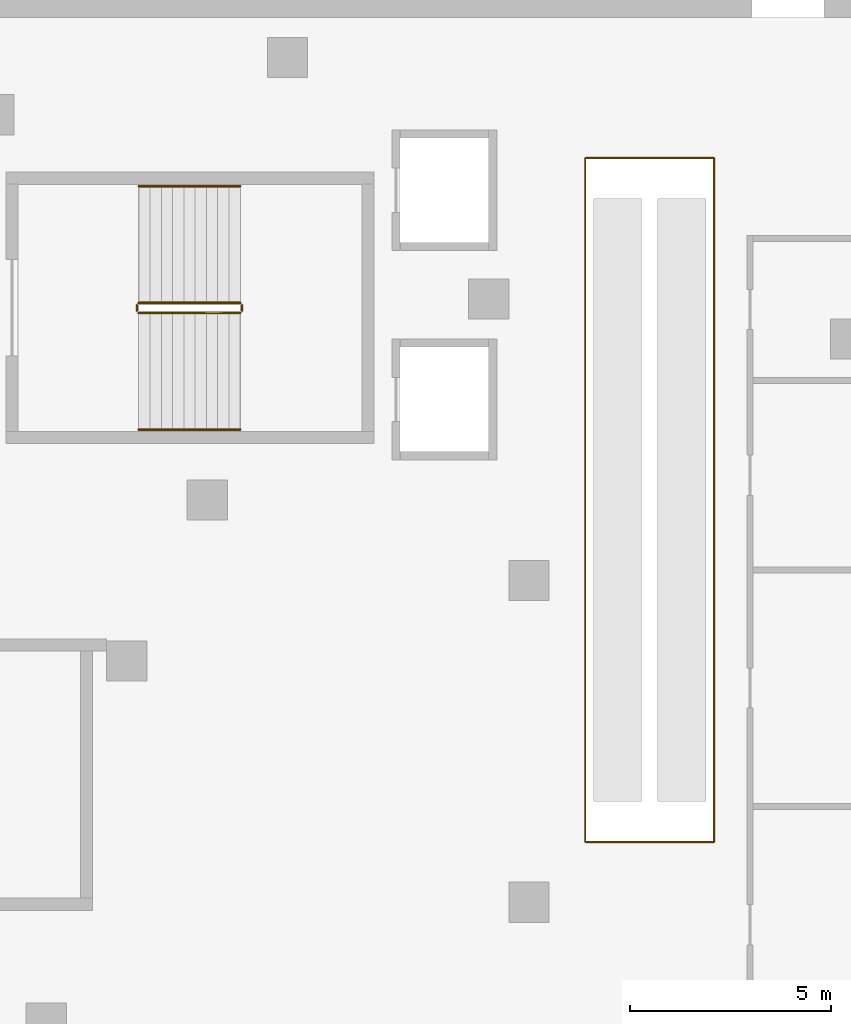
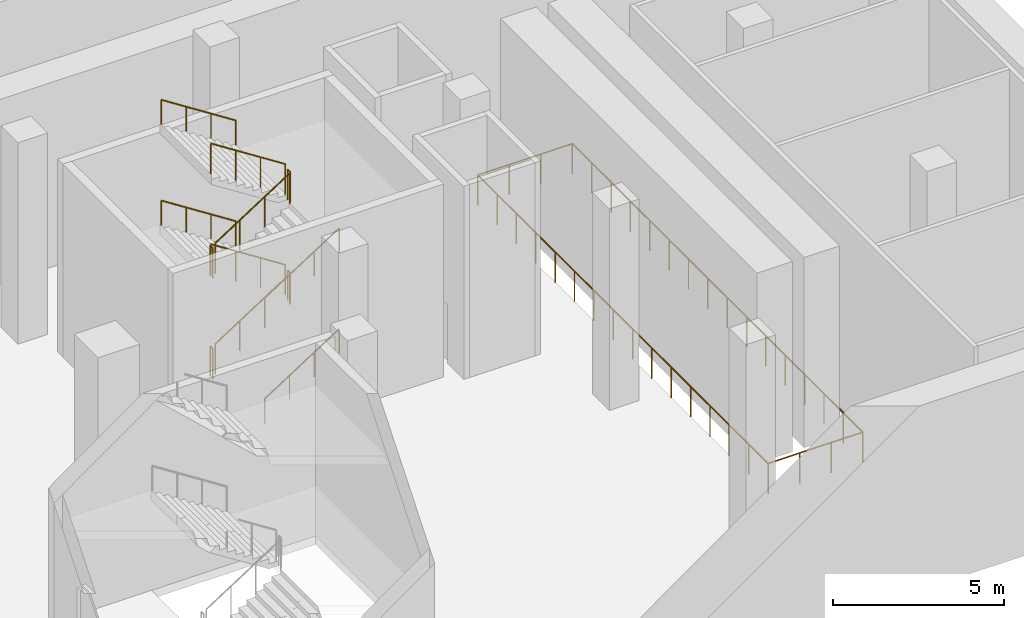
# One storey, part 14 of 15: 13 railings.
"""IFC4 building model written with IfcOpenShell, lengths in metres."""

from ifc_helpers import new_model, si_unit, direction, frame, origin, origin_2d, place, context, subcontext, project, spatial, circle, extrude, material, type_object, element, save


model = new_model("IFC4")

# Units and contexts
model_context = context("Model", 3, precision=1e-05, world=origin(), true_north=direction((0.0, 1.0)))
body_context = subcontext(model_context, "Body", "Model", "MODEL_VIEW")
ifc_project = project(units=[si_unit("LENGTHUNIT", "METRE"), si_unit("AREAUNIT", "SQUARE_METRE"), si_unit("VOLUMEUNIT", "CUBIC_METRE"), si_unit("PLANEANGLEUNIT", "RADIAN"), si_unit("MASSUNIT", "GRAM", prefix="KILO")], contexts=[model_context])

# Site, building, storey
site_placement = place(None, origin())
site = spatial("IfcSite", under=ifc_project, at=site_placement, CompositionType="ELEMENT")
building_placement = place(site_placement, origin())
building = spatial("IfcBuilding", under=site, at=building_placement, Name="Wharfspan Tower", CompositionType="ELEMENT")
storey_placement = place(building_placement, frame((0.0, 0.0, -7.199951)))
storey = spatial("IfcBuildingStorey", under=building, at=storey_placement, Name="B1", CompositionType="ELEMENT", Elevation=-7.199951)

# Railings
ifc_material = material(Name="Steel S355J2", Category="steel")
railing_type_1 = type_object("IfcRailingType", Name="Podium guard 1100", PredefinedType="GUARDRAIL", material=ifc_material)
railing_1_placement = place(storey_placement, frame((87.300049, -16.350098, 0.179932)))
element("IfcRailing", 1, at=railing_1_placement, inside=storey, type_object=railing_type_1, Name="B1 SB7 stair guard 1", PredefinedType="GUARDRAIL", context=body_context, shape_type="SweptSolid", body=[
    extrude(circle(Radius=0.023926, at=origin_2d()), frame((0.0, 0.0, 1.076172), z_axis=(0.841163, 0.0, 0.540782), x_axis=(0.0, 1.0, 0.0)), (0.0, 0.0, 1.0), 2.99585),
    extrude(circle(Radius=0.020996, at=origin_2d()), origin(), (0.0, 0.0, 1.0), 1.052002),
    extrude(circle(Radius=0.020996, at=origin_2d()), frame((0.840088, 0.0, 0.540039)), (0.0, 0.0, 1.0), 1.052002),
    extrude(circle(Radius=0.020996, at=origin_2d()), frame((1.679932, 0.0, 1.080078)), (0.0, 0.0, 1.0), 1.052002),
    extrude(circle(Radius=0.020996, at=origin_2d()), frame((2.52002, 0.0, 1.620117)), (0.0, 0.0, 1.0), 1.052002),
])
railing_2_placement = place(storey_placement, frame((89.870117, -16.300049, 1.800049)))
element("IfcRailing", 2, at=railing_2_placement, inside=storey, type_object=railing_type_1, Name="B1 SB7 stair guard 2", PredefinedType="GUARDRAIL", context=body_context, shape_type="SweptSolid", body=[
    extrude(circle(Radius=0.023926, at=origin_2d()), frame((0.0, 0.0, 1.076172), z_axis=(0.0, 1.0, 0.0), x_axis=(-1.0, 0.0, 0.0)), (0.0, 0.0, 1.0), 0.150146),
    extrude(circle(Radius=0.020996, at=origin_2d()), origin(), (0.0, 0.0, 1.0), 1.052002),
    extrude(circle(Radius=0.020996, at=origin_2d()), frame((0.0, 0.150146, 0.0)), (0.0, 0.0, 1.0), 1.052002),
])
railing_3_placement = place(storey_placement, frame((89.820068, -16.100098, 1.97998)))
element("IfcRailing", 3, at=railing_3_placement, inside=storey, type_object=railing_type_1, Name="B1 SB7 stair guard 3", PredefinedType="GUARDRAIL", context=body_context, shape_type="SweptSolid", body=[
    extrude(circle(Radius=0.023926, at=origin_2d()), frame((0.0, 0.0, 1.076172), z_axis=(-0.8412, 0.0, 0.540725), x_axis=(0.0, -1.0, 0.0)), (0.0, 0.0, 1.0), 2.99585),
    extrude(circle(Radius=0.020996, at=origin_2d()), origin(), (0.0, 0.0, 1.0), 1.052002),
    extrude(circle(Radius=0.020996, at=origin_2d()), frame((-0.840088, 0.0, 0.540039)), (0.0, 0.0, 1.0), 1.052002),
    extrude(circle(Radius=0.020996, at=origin_2d()), frame((-1.679932, 0.0, 1.079834)), (0.0, 0.0, 1.0), 1.052002),
    extrude(circle(Radius=0.020996, at=origin_2d()), frame((-2.52002, 0.0, 1.619873)), (0.0, 0.0, 1.0), 1.052002),
])
railing_4_placement = place(storey_placement, frame((87.25, -16.300049, 3.599854)))
element("IfcRailing", 4, at=railing_4_placement, inside=storey, type_object=railing_type_1, Name="B1 SB7 stair guard 4", PredefinedType="GUARDRAIL", context=body_context, shape_type="SweptSolid", body=[
    extrude(circle(Radius=0.023926, at=origin_2d()), frame((0.0, 0.0, 1.076172), z_axis=(0.0, 1.0, 0.0), x_axis=(-1.0, 0.0, 0.0)), (0.0, 0.0, 1.0), 0.150146),
    extrude(circle(Radius=0.020996, at=origin_2d()), origin(), (0.0, 0.0, 1.0), 1.052002),
    extrude(circle(Radius=0.020996, at=origin_2d()), frame((0.0, 0.150146, 0.0)), (0.0, 0.0, 1.0), 1.052002),
])
railing_5_placement = place(storey_placement, frame((87.300049, -16.350098, 3.780029)))
element("IfcRailing", 5, at=railing_5_placement, inside=storey, type_object=railing_type_1, Name="B1 SB7 stair guard 5", PredefinedType="GUARDRAIL", context=body_context, shape_type="SweptSolid", body=[
    extrude(circle(Radius=0.023926, at=origin_2d()), frame((0.0, 0.0, 1.076172), z_axis=(0.8412, 0.0, 0.540725), x_axis=(0.0, 1.0, 0.0)), (0.0, 0.0, 1.0), 2.99585),
    extrude(circle(Radius=0.020996, at=origin_2d()), origin(), (0.0, 0.0, 1.0), 1.052002),
    extrude(circle(Radius=0.020996, at=origin_2d()), frame((0.840088, 0.0, 0.540039)), (0.0, 0.0, 1.0), 1.052002),
    extrude(circle(Radius=0.020996, at=origin_2d()), frame((1.679932, 0.0, 1.079834)), (0.0, 0.0, 1.0), 1.052002),
    extrude(circle(Radius=0.020996, at=origin_2d()), frame((2.52002, 0.0, 1.619873)), (0.0, 0.0, 1.0), 1.052002),
])
railing_6_placement = place(storey_placement, frame((89.870117, -16.300049, 5.399902)))
element("IfcRailing", 6, at=railing_6_placement, inside=storey, type_object=railing_type_1, Name="B1 SB7 stair guard 6", PredefinedType="GUARDRAIL", context=body_context, shape_type="SweptSolid", body=[
    extrude(circle(Radius=0.023926, at=origin_2d()), frame((0.0, 0.0, 1.076172), z_axis=(0.0, 1.0, 0.0), x_axis=(-1.0, 0.0, 0.0)), (0.0, 0.0, 1.0), 0.150146),
    extrude(circle(Radius=0.020996, at=origin_2d()), origin(), (0.0, 0.0, 1.0), 1.052002),
    extrude(circle(Radius=0.020996, at=origin_2d()), frame((0.0, 0.150146, 0.0)), (0.0, 0.0, 1.0), 1.052002),
])
railing_7_placement = place(storey_placement, frame((89.820068, -16.100098, 5.579834)))
element("IfcRailing", 7, at=railing_7_placement, inside=storey, type_object=railing_type_1, Name="B1 SB7 stair guard 7", PredefinedType="GUARDRAIL", context=body_context, shape_type="SweptSolid", body=[
    extrude(circle(Radius=0.023926, at=origin_2d()), frame((0.0, 0.0, 1.076172), z_axis=(-0.841163, 0.0, 0.540782), x_axis=(0.0, -1.0, 0.0)), (0.0, 0.0, 1.0), 2.99585),
    extrude(circle(Radius=0.020996, at=origin_2d()), origin(), (0.0, 0.0, 1.0), 1.052002),
    extrude(circle(Radius=0.020996, at=origin_2d()), frame((-0.840088, 0.0, 0.540039)), (0.0, 0.0, 1.0), 1.052002),
    extrude(circle(Radius=0.020996, at=origin_2d()), frame((-1.679932, 0.0, 1.080078)), (0.0, 0.0, 1.0), 1.052002),
    extrude(circle(Radius=0.020996, at=origin_2d()), frame((-2.52002, 0.0, 1.620117)), (0.0, 0.0, 1.0), 1.052002),
])
railing_8_placement = place(storey_placement, frame((87.25, -16.300049, 0.0)))
element("IfcRailing", 8, at=railing_8_placement, inside=storey, type_object=railing_type_1, Name="B1 SB7 stair guard 8", PredefinedType="GUARDRAIL", context=body_context, shape_type="SweptSolid", body=[
    extrude(circle(Radius=0.023926, at=origin_2d()), frame((0.0, 0.0, 1.076172), z_axis=(0.0, 1.0, 0.0), x_axis=(-1.0, 0.0, 0.0)), (0.0, 0.0, 1.0), 0.150146),
    extrude(circle(Radius=0.020996, at=origin_2d()), origin(), (0.0, 0.0, 1.0), 1.052002),
    extrude(circle(Radius=0.020996, at=origin_2d()), frame((0.0, 0.150146, 0.0)), (0.0, 0.0, 1.0), 1.052002),
])
railing_9_placement = place(storey_placement, frame((98.399902, -29.5, 0.0)))
element("IfcRailing", 9, at=railing_9_placement, inside=storey, type_object=railing_type_1, Name="B1 escalator void guard", PredefinedType="GUARDRAIL", context=body_context, shape_type="SweptSolid", body=[
    extrude(circle(Radius=0.023926, at=origin_2d()), frame((0.0, 0.0, 1.076172), z_axis=(0.0, 1.0, 0.0), x_axis=(-1.0, 0.0, 0.0)), (0.0, 0.0, 1.0), 17.0),
    extrude(circle(Radius=0.023926, at=origin_2d()), frame((0.0, 17.0, 1.076172), z_axis=(1.0, 0.0, 0.0), x_axis=(0.0, 1.0, 0.0)), (0.0, 0.0, 1.0), 3.200195),
    extrude(circle(Radius=0.023926, at=origin_2d()), frame((3.200195, 17.0, 1.076172), z_axis=(0.0, -1.0, 0.0), x_axis=(1.0, 0.0, 0.0)), (0.0, 0.0, 1.0), 17.0),
    extrude(circle(Radius=0.023926, at=origin_2d()), frame((3.200195, 0.0, 1.076172), z_axis=(-1.0, 0.0, 0.0), x_axis=(0.0, -1.0, 0.0)), (0.0, 0.0, 1.0), 3.200195),
    extrude(circle(Radius=0.020996, at=origin_2d()), origin(), (0.0, 0.0, 1.0), 1.052002),
    extrude(circle(Radius=0.020996, at=origin_2d()), frame((0.0, 1.133301, 0.0)), (0.0, 0.0, 1.0), 1.052002),
    extrude(circle(Radius=0.020996, at=origin_2d()), frame((0.0, 2.266602, 0.0)), (0.0, 0.0, 1.0), 1.052002),
    extrude(circle(Radius=0.020996, at=origin_2d()), frame((0.0, 3.399902, 0.0)), (0.0, 0.0, 1.0), 1.052002),
    extrude(circle(Radius=0.020996, at=origin_2d()), frame((0.0, 4.533447, 0.0)), (0.0, 0.0, 1.0), 1.052002),
    extrude(circle(Radius=0.020996, at=origin_2d()), frame((0.0, 5.666748, 0.0)), (0.0, 0.0, 1.0), 1.052002),
    extrude(circle(Radius=0.020996, at=origin_2d()), frame((0.0, 6.800049, 0.0)), (0.0, 0.0, 1.0), 1.052002),
    extrude(circle(Radius=0.020996, at=origin_2d()), frame((0.0, 7.93335, 0.0)), (0.0, 0.0, 1.0), 1.052002),
    extrude(circle(Radius=0.020996, at=origin_2d()), frame((0.0, 9.06665, 0.0)), (0.0, 0.0, 1.0), 1.052002),
    extrude(circle(Radius=0.020996, at=origin_2d()), frame((0.0, 10.199951, 0.0)), (0.0, 0.0, 1.0), 1.052002),
    extrude(circle(Radius=0.020996, at=origin_2d()), frame((0.0, 11.333252, 0.0)), (0.0, 0.0, 1.0), 1.052002),
    extrude(circle(Radius=0.020996, at=origin_2d()), frame((0.0, 12.466553, 0.0)), (0.0, 0.0, 1.0), 1.052002),
    extrude(circle(Radius=0.020996, at=origin_2d()), frame((0.0, 13.600098, 0.0)), (0.0, 0.0, 1.0), 1.052002),
    extrude(circle(Radius=0.020996, at=origin_2d()), frame((0.0, 14.733398, 0.0)), (0.0, 0.0, 1.0), 1.052002),
    extrude(circle(Radius=0.020996, at=origin_2d()), frame((0.0, 15.866699, 0.0)), (0.0, 0.0, 1.0), 1.052002),
    extrude(circle(Radius=0.020996, at=origin_2d()), frame((0.0, 17.0, 0.0)), (0.0, 0.0, 1.0), 1.052002),
    extrude(circle(Radius=0.020996, at=origin_2d()), frame((1.06665, 17.0, 0.0)), (0.0, 0.0, 1.0), 1.052002),
    extrude(circle(Radius=0.020996, at=origin_2d()), frame((2.133545, 17.0, 0.0)), (0.0, 0.0, 1.0), 1.052002),
    extrude(circle(Radius=0.020996, at=origin_2d()), frame((3.200195, 17.0, 0.0)), (0.0, 0.0, 1.0), 1.052002),
    extrude(circle(Radius=0.020996, at=origin_2d()), frame((3.200195, 15.866699, 0.0)), (0.0, 0.0, 1.0), 1.052002),
    extrude(circle(Radius=0.020996, at=origin_2d()), frame((3.200195, 14.733398, 0.0)), (0.0, 0.0, 1.0), 1.052002),
    extrude(circle(Radius=0.020996, at=origin_2d()), frame((3.200195, 13.600098, 0.0)), (0.0, 0.0, 1.0), 1.052002),
    extrude(circle(Radius=0.020996, at=origin_2d()), frame((3.200195, 12.466553, 0.0)), (0.0, 0.0, 1.0), 1.052002),
    extrude(circle(Radius=0.020996, at=origin_2d()), frame((3.200195, 11.333252, 0.0)), (0.0, 0.0, 1.0), 1.052002),
    extrude(circle(Radius=0.020996, at=origin_2d()), frame((3.200195, 10.199951, 0.0)), (0.0, 0.0, 1.0), 1.052002),
    extrude(circle(Radius=0.020996, at=origin_2d()), frame((3.200195, 9.06665, 0.0)), (0.0, 0.0, 1.0), 1.052002),
    extrude(circle(Radius=0.020996, at=origin_2d()), frame((3.200195, 7.93335, 0.0)), (0.0, 0.0, 1.0), 1.052002),
    extrude(circle(Radius=0.020996, at=origin_2d()), frame((3.200195, 6.800049, 0.0)), (0.0, 0.0, 1.0), 1.052002),
    extrude(circle(Radius=0.020996, at=origin_2d()), frame((3.200195, 5.666748, 0.0)), (0.0, 0.0, 1.0), 1.052002),
    extrude(circle(Radius=0.020996, at=origin_2d()), frame((3.200195, 4.533447, 0.0)), (0.0, 0.0, 1.0), 1.052002),
    extrude(circle(Radius=0.020996, at=origin_2d()), frame((3.200195, 3.399902, 0.0)), (0.0, 0.0, 1.0), 1.052002),
    extrude(circle(Radius=0.020996, at=origin_2d()), frame((3.200195, 2.266602, 0.0)), (0.0, 0.0, 1.0), 1.052002),
    extrude(circle(Radius=0.020996, at=origin_2d()), frame((3.200195, 1.133301, 0.0)), (0.0, 0.0, 1.0), 1.052002),
    extrude(circle(Radius=0.020996, at=origin_2d()), frame((3.200195, 0.0, 0.0)), (0.0, 0.0, 1.0), 1.052002),
    extrude(circle(Radius=0.020996, at=origin_2d()), frame((2.133545, 0.0, 0.0)), (0.0, 0.0, 1.0), 1.052002),
    extrude(circle(Radius=0.020996, at=origin_2d()), frame((1.06665, 0.0, 0.0)), (0.0, 0.0, 1.0), 1.052002),
])
railing_type_2 = type_object("IfcRailingType", Name="Podium stair handrail 900", PredefinedType="HANDRAIL", material=ifc_material)
railing_10_placement = place(storey_placement, frame((87.300049, -19.25, 0.179932)))
element("IfcRailing", 10, at=railing_10_placement, inside=storey, type_object=railing_type_2, Name="B1 SB7 stair handrail 1", PredefinedType="HANDRAIL", context=body_context, shape_type="SweptSolid", body=[
    extrude(circle(Radius=0.023926, at=origin_2d()), frame((0.0, 0.0, 0.875977), z_axis=(0.841163, 0.0, 0.540782), x_axis=(0.0, 1.0, 0.0)), (0.0, 0.0, 1.0), 2.99585),
    extrude(circle(Radius=0.020996, at=origin_2d()), origin(), (0.0, 0.0, 1.0), 0.851807),
    extrude(circle(Radius=0.020996, at=origin_2d()), frame((0.840088, 0.0, 0.540039)), (0.0, 0.0, 1.0), 0.851807),
    extrude(circle(Radius=0.020996, at=origin_2d()), frame((1.679932, 0.0, 1.080078)), (0.0, 0.0, 1.0), 0.851807),
    extrude(circle(Radius=0.020996, at=origin_2d()), frame((2.52002, 0.0, 1.620117)), (0.0, 0.0, 1.0), 0.851807),
])
railing_11_placement = place(storey_placement, frame((89.820068, -13.199951, 1.97998)))
element("IfcRailing", 11, at=railing_11_placement, inside=storey, type_object=railing_type_2, Name="B1 SB7 stair handrail 2", PredefinedType="HANDRAIL", context=body_context, shape_type="SweptSolid", body=[
    extrude(circle(Radius=0.023926, at=origin_2d()), frame((0.0, 0.0, 0.875977), z_axis=(-0.8412, 0.0, 0.540725), x_axis=(0.0, -1.0, 0.0)), (0.0, 0.0, 1.0), 2.99585),
    extrude(circle(Radius=0.020996, at=origin_2d()), origin(), (0.0, 0.0, 1.0), 0.851807),
    extrude(circle(Radius=0.020996, at=origin_2d()), frame((-0.840088, 0.0, 0.540039)), (0.0, 0.0, 1.0), 0.851807),
    extrude(circle(Radius=0.020996, at=origin_2d()), frame((-1.679932, 0.0, 1.079834)), (0.0, 0.0, 1.0), 0.851807),
    extrude(circle(Radius=0.020996, at=origin_2d()), frame((-2.52002, 0.0, 1.619873)), (0.0, 0.0, 1.0), 0.851807),
])
railing_12_placement = place(storey_placement, frame((87.300049, -19.25, 3.780029)))
element("IfcRailing", 12, at=railing_12_placement, inside=storey, type_object=railing_type_2, Name="B1 SB7 stair handrail 3", PredefinedType="HANDRAIL", context=body_context, shape_type="SweptSolid", body=[
    extrude(circle(Radius=0.023926, at=origin_2d()), frame((0.0, 0.0, 0.875977), z_axis=(0.8412, 0.0, 0.540725), x_axis=(0.0, 1.0, 0.0)), (0.0, 0.0, 1.0), 2.99585),
    extrude(circle(Radius=0.020996, at=origin_2d()), origin(), (0.0, 0.0, 1.0), 0.851807),
    extrude(circle(Radius=0.020996, at=origin_2d()), frame((0.840088, 0.0, 0.540039)), (0.0, 0.0, 1.0), 0.851807),
    extrude(circle(Radius=0.020996, at=origin_2d()), frame((1.679932, 0.0, 1.079834)), (0.0, 0.0, 1.0), 0.851807),
    extrude(circle(Radius=0.020996, at=origin_2d()), frame((2.52002, 0.0, 1.619873)), (0.0, 0.0, 1.0), 0.851807),
])
railing_13_placement = place(storey_placement, frame((89.820068, -13.199951, 5.579834)))
element("IfcRailing", 13, at=railing_13_placement, inside=storey, type_object=railing_type_2, Name="B1 SB7 stair handrail 4", PredefinedType="HANDRAIL", context=body_context, shape_type="SweptSolid", body=[
    extrude(circle(Radius=0.023926, at=origin_2d()), frame((0.0, 0.0, 0.875977), z_axis=(-0.841163, 0.0, 0.540782), x_axis=(0.0, -1.0, 0.0)), (0.0, 0.0, 1.0), 2.99585),
    extrude(circle(Radius=0.020996, at=origin_2d()), origin(), (0.0, 0.0, 1.0), 0.851807),
    extrude(circle(Radius=0.020996, at=origin_2d()), frame((-0.840088, 0.0, 0.540039)), (0.0, 0.0, 1.0), 0.851807),
    extrude(circle(Radius=0.020996, at=origin_2d()), frame((-1.679932, 0.0, 1.080078)), (0.0, 0.0, 1.0), 0.851807),
    extrude(circle(Radius=0.020996, at=origin_2d()), frame((-2.52002, 0.0, 1.620117)), (0.0, 0.0, 1.0), 0.851807),
])

save(model, "model.ifc")
